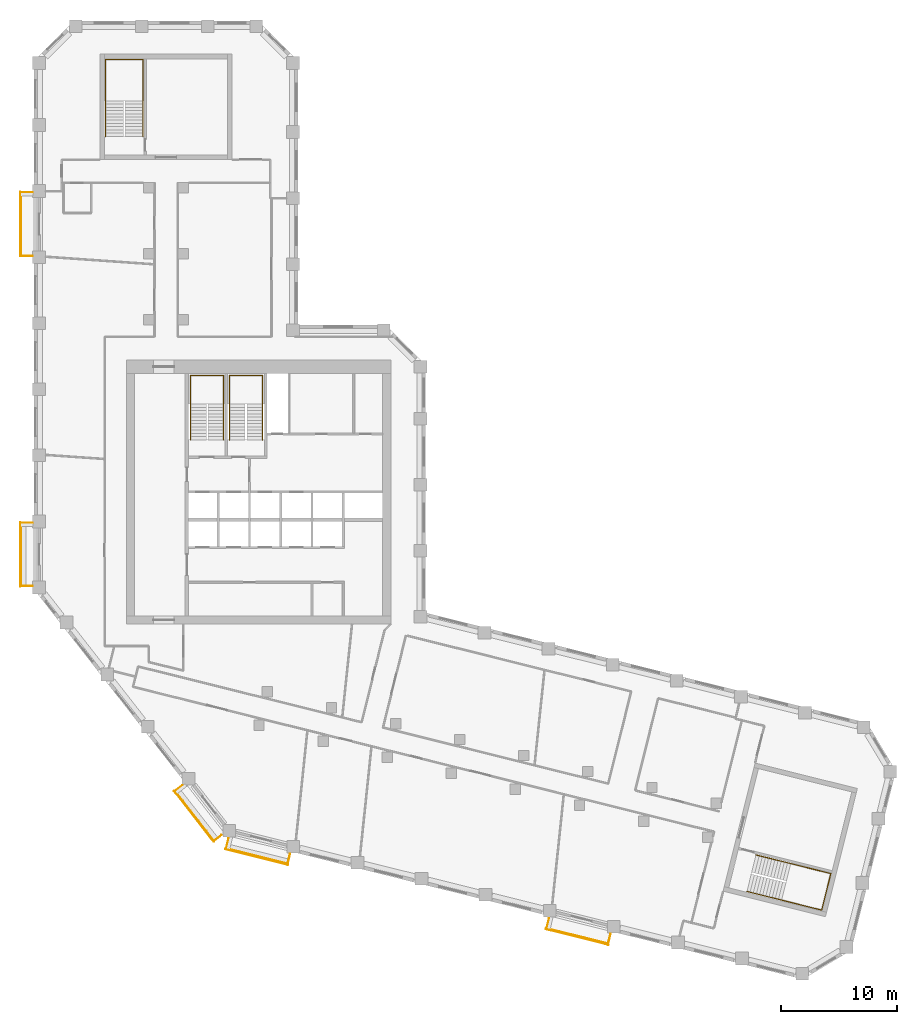
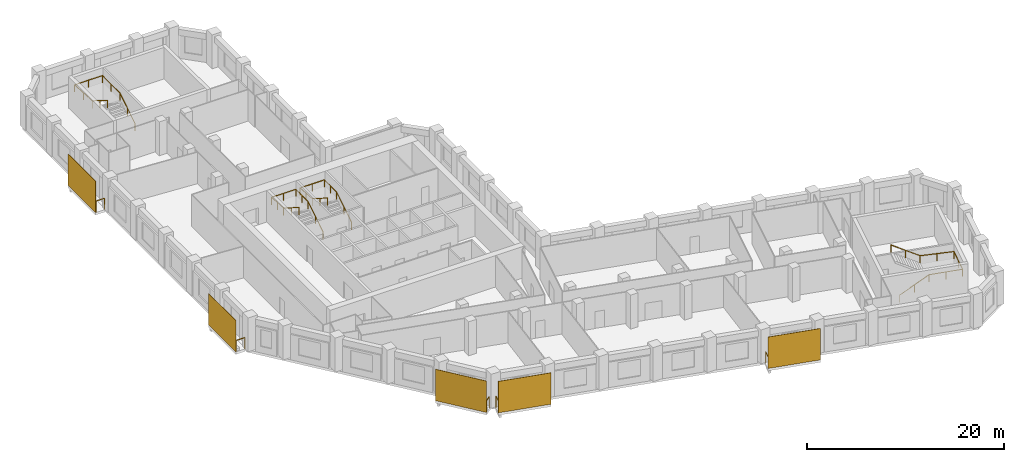
# One storey, part 10 of 10: 9 railings, 5 shading devices.
"""IFC4 building model written with IfcOpenShell, lengths in metres."""

from ifc_helpers import new_model, si_unit, direction, frame, origin, origin_2d, place, context, subcontext, project, spatial, rectangle, circle, extrude, material, layer, layer_set, type_object, element, save


model = new_model("IFC4")

# Units and contexts
model_context = context("Model", 3, precision=1e-05, world=origin(), true_north=direction((0.0, 1.0)))
body_context = subcontext(model_context, "Body", "Model", "MODEL_VIEW")
ifc_project = project(units=[si_unit("LENGTHUNIT", "METRE"), si_unit("AREAUNIT", "SQUARE_METRE"), si_unit("VOLUMEUNIT", "CUBIC_METRE"), si_unit("PLANEANGLEUNIT", "RADIAN"), si_unit("MASSUNIT", "GRAM", prefix="KILO")], contexts=[model_context])

# Site, building, storey
site_placement = place(None, origin())
site = spatial("IfcSite", under=ifc_project, at=site_placement, CompositionType="ELEMENT")
building_placement = place(site_placement, origin())
building = spatial("IfcBuilding", under=site, at=building_placement, Name="Meshkara Civic Tower", CompositionType="ELEMENT")
storey_placement = place(building_placement, frame((0.0, 0.0, 229.800048828125)))
storey = spatial("IfcBuildingStorey", under=building, at=storey_placement, Name="L52", CompositionType="ELEMENT", Elevation=229.800048828125)

# Railings
ifc_material_1 = material(Name="Steel S355", Category="steel")
railing_type_1 = type_object("IfcRailingType", Name="BALUSTRADE GUARD 1400", PredefinedType="BALUSTRADE", material=ifc_material_1)
for number, where, name in (
    (1, (-0.10009765625, 51.3349609375, 0.0), "Balcony guard"),
    (2, (-0.10009765625, 22.8349609375, 0.0), "Balcony guard"),
):
    element("IfcRailing", number, at=place(storey_placement, frame(where)), inside=storey, type_object=railing_type_1, Name=name, PredefinedType="BALUSTRADE", context=body_context, shape_type="SweptSolid", body=[
        extrude(circle(Radius=0.02392578125, at=origin_2d()), frame((0.0, 0.0, 1.3759765625), z_axis=(-1.0, 0.0, 0.0), x_axis=(0.0, -1.0, 0.0)), (0.0, 0.0, 1.0), 1.010009765625),
        extrude(circle(Radius=0.02392578125, at=origin_2d()), frame((-1.010009765625, 0.0, 1.3759765625), z_axis=(0.0, -1.0, 0.0), x_axis=(1.0, 0.0, 0.0)), (0.0, 0.0, 1.0), 5.4599609375),
        extrude(circle(Radius=0.02392578125, at=origin_2d()), frame((-1.010009765625, -5.4599609375, 1.3759765625), z_axis=(1.0, 0.0, 0.0), x_axis=(0.0, 1.0, 0.0)), (0.0, 0.0, 1.0), 1.010009765625),
        extrude(circle(Radius=0.02099609375, at=origin_2d()), origin(), (0.0, 0.0, 1.0), 1.351806640625),
        extrude(circle(Radius=0.02099609375, at=origin_2d()), frame((-1.010009765625, 0.0, 0.0)), (0.0, 0.0, 1.0), 1.351806640625),
        extrude(circle(Radius=0.02099609375, at=origin_2d()), frame((-1.010009765625, -1.092041015625, 0.0)), (0.0, 0.0, 1.0), 1.351806640625),
        extrude(circle(Radius=0.02099609375, at=origin_2d()), frame((-1.010009765625, -2.18408203125, 0.0)), (0.0, 0.0, 1.0), 1.351806640625),
        extrude(circle(Radius=0.02099609375, at=origin_2d()), frame((-1.010009765625, -3.27587890625, 0.0)), (0.0, 0.0, 1.0), 1.351806640625),
        extrude(circle(Radius=0.02099609375, at=origin_2d()), frame((-1.010009765625, -4.367919921875, 0.0)), (0.0, 0.0, 1.0), 1.351806640625),
        extrude(circle(Radius=0.02099609375, at=origin_2d()), frame((-1.010009765625, -5.4599609375, 0.0)), (0.0, 0.0, 1.0), 1.351806640625),
        extrude(circle(Radius=0.02099609375, at=origin_2d()), frame((0.0, -5.4599609375, 0.0)), (0.0, 0.0, 1.0), 1.351806640625),
    ])
railing_1_placement = place(storey_placement, frame((12.806884765625, 0.18408203125, 0.0)))
element("IfcRailing", 3, at=railing_1_placement, inside=storey, type_object=railing_type_1, Name="Balcony guard", PredefinedType="BALUSTRADE", context=body_context, shape_type="SweptSolid", body=[
    extrude(circle(Radius=0.02392578125, at=origin_2d()), frame((0.0, 0.0, 1.3759765625), z_axis=(-0.787982092171, -0.615698158531, 0.0), x_axis=(0.615698158531, -0.787982092171, 0.0)), (0.0, 0.0, 1.0), 0.787841796875),
    extrude(circle(Radius=0.02392578125, at=origin_2d()), frame((-0.620849609375, -0.485107421875, 1.3759765625), z_axis=(0.615684818606, -0.787992515281, 0.0), x_axis=(0.787992515281, 0.615684818606, 0.0)), (0.0, 0.0, 1.0), 5.460693359375),
    extrude(circle(Radius=0.02392578125, at=origin_2d()), frame((2.7412109375, -4.7880859375, 1.3759765625), z_axis=(0.787982092171, 0.615698158531, 0.0), x_axis=(-0.615698158531, 0.787982092171, 0.0)), (0.0, 0.0, 1.0), 0.787841796875),
    extrude(circle(Radius=0.02099609375, at=origin_2d()), origin(), (0.0, 0.0, 1.0), 1.351806640625),
    extrude(circle(Radius=0.02099609375, at=origin_2d()), frame((-0.620849609375, -0.485107421875, 0.0)), (0.0, 0.0, 1.0), 1.351806640625),
    extrude(circle(Radius=0.02099609375, at=origin_2d()), frame((0.051513671875, -1.345703125, 0.0)), (0.0, 0.0, 1.0), 1.351806640625),
    extrude(circle(Radius=0.02099609375, at=origin_2d()), frame((0.723876953125, -2.206298828125, 0.0)), (0.0, 0.0, 1.0), 1.351806640625),
    extrude(circle(Radius=0.02099609375, at=origin_2d()), frame((1.396484375, -3.06689453125, 0.0)), (0.0, 0.0, 1.0), 1.351806640625),
    extrude(circle(Radius=0.02099609375, at=origin_2d()), frame((2.06884765625, -3.927490234375, 0.0)), (0.0, 0.0, 1.0), 1.351806640625),
    extrude(circle(Radius=0.02099609375, at=origin_2d()), frame((2.7412109375, -4.7880859375, 0.0)), (0.0, 0.0, 1.0), 1.351806640625),
    extrude(circle(Radius=0.02099609375, at=origin_2d()), frame((3.362060546875, -4.302978515625, 0.0)), (0.0, 0.0, 1.0), 1.351806640625),
])
railing_2_placement = place(storey_placement, frame((16.805908203125, -4.4140625, 0.0)))
element("IfcRailing", 4, at=railing_2_placement, inside=storey, type_object=railing_type_1, Name="Balcony guard", PredefinedType="BALUSTRADE", context=body_context, shape_type="SweptSolid", body=[
    extrude(circle(Radius=0.02392578125, at=origin_2d()), frame((0.0, 0.0, 1.3759765625), z_axis=(-0.241571021463, -0.970383141645, 0.0), x_axis=(0.970383141645, -0.241571021463, 0.0)), (0.0, 0.0, 1.0), 0.893310546875),
    extrude(circle(Radius=0.02392578125, at=origin_2d()), frame((-0.2158203125, -0.866943359375, 1.3759765625), z_axis=(0.9703315887, -0.241778013829, 0.0), x_axis=(0.241778013829, 0.9703315887, 0.0)), (0.0, 0.0, 1.0), 5.459716796875),
    extrude(circle(Radius=0.02392578125, at=origin_2d()), frame((5.08203125, -2.18701171875, 1.3759765625), z_axis=(0.242085058395, 0.97025503065, 0.0), x_axis=(-0.97025503065, 0.242085058395, 0.0)), (0.0, 0.0, 1.0), 0.892578125),
    extrude(circle(Radius=0.02099609375, at=origin_2d()), origin(), (0.0, 0.0, 1.0), 1.351806640625),
    extrude(circle(Radius=0.02099609375, at=origin_2d()), frame((-0.2158203125, -0.866943359375, 0.0)), (0.0, 0.0, 1.0), 1.351806640625),
    extrude(circle(Radius=0.02099609375, at=origin_2d()), frame((0.84375, -1.130859375, 0.0)), (0.0, 0.0, 1.0), 1.351806640625),
    extrude(circle(Radius=0.02099609375, at=origin_2d()), frame((1.9033203125, -1.39501953125, 0.0)), (0.0, 0.0, 1.0), 1.351806640625),
    extrude(circle(Radius=0.02099609375, at=origin_2d()), frame((2.962890625, -1.658935546875, 0.0)), (0.0, 0.0, 1.0), 1.351806640625),
    extrude(circle(Radius=0.02099609375, at=origin_2d()), frame((4.0224609375, -1.923095703125, 0.0)), (0.0, 0.0, 1.0), 1.351806640625),
    extrude(circle(Radius=0.02099609375, at=origin_2d()), frame((5.08203125, -2.18701171875, 0.0)), (0.0, 0.0, 1.0), 1.351806640625),
    extrude(circle(Radius=0.02099609375, at=origin_2d()), frame((5.298095703125, -1.321044921875, 0.0)), (0.0, 0.0, 1.0), 1.351806640625),
])
railing_3_placement = place(storey_placement, frame((44.4599609375, -11.30810546875, 0.0)))
element("IfcRailing", 5, at=railing_3_placement, inside=storey, type_object=railing_type_1, Name="Balcony guard", PredefinedType="BALUSTRADE", context=body_context, shape_type="SweptSolid", body=[
    extrude(circle(Radius=0.02392578125, at=origin_2d()), frame((0.0, 0.0, 1.3759765625), z_axis=(-0.241828319243, -0.97031905269, 0.0), x_axis=(0.97031905269, -0.241828319243, 0.0)), (0.0, 0.0, 1.0), 0.8935546875),
    extrude(circle(Radius=0.02392578125, at=origin_2d()), frame((-0.216064453125, -0.866943359375, 1.3759765625), z_axis=(0.970281759871, -0.241977904902, 0.0), x_axis=(0.241977904902, 0.970281759871, 0.0)), (0.0, 0.0, 1.0), 5.45947265625),
    extrude(circle(Radius=0.02392578125, at=origin_2d()), frame((5.0810546875, -2.18798828125, 1.3759765625), z_axis=(0.241764216879, 0.970335026389, 0.0), x_axis=(-0.970335026389, 0.241764216879, 0.0)), (0.0, 0.0, 1.0), 0.893798828125),
    extrude(circle(Radius=0.02099609375, at=origin_2d()), origin(), (0.0, 0.0, 1.0), 1.351806640625),
    extrude(circle(Radius=0.02099609375, at=origin_2d()), frame((-0.216064453125, -0.866943359375, 0.0)), (0.0, 0.0, 1.0), 1.351806640625),
    extrude(circle(Radius=0.02099609375, at=origin_2d()), frame((0.84326171875, -1.131103515625, 0.0)), (0.0, 0.0, 1.0), 1.351806640625),
    extrude(circle(Radius=0.02099609375, at=origin_2d()), frame((1.90283203125, -1.395263671875, 0.0)), (0.0, 0.0, 1.0), 1.351806640625),
    extrude(circle(Radius=0.02099609375, at=origin_2d()), frame((2.962158203125, -1.65966796875, 0.0)), (0.0, 0.0, 1.0), 1.351806640625),
    extrude(circle(Radius=0.02099609375, at=origin_2d()), frame((4.021728515625, -1.923828125, 0.0)), (0.0, 0.0, 1.0), 1.351806640625),
    extrude(circle(Radius=0.02099609375, at=origin_2d()), frame((5.0810546875, -2.18798828125, 0.0)), (0.0, 0.0, 1.0), 1.351806640625),
    extrude(circle(Radius=0.02099609375, at=origin_2d()), frame((5.297119140625, -1.32080078125, 0.0)), (0.0, 0.0, 1.0), 1.351806640625),
])

# Shading devices
ifc_material_2 = material(Name="Perforated bronze anodised aluminium sheet", Category="aluminium")
ifc_layer = layer(ifc_material_2, 0.0400390625)
ifc_layer_set = layer_set([ifc_layer], Name="PERFORATED BRONZE SCREEN")
shading_device_type = type_object("IfcShadingDeviceType", Name="PERFORATED BRONZE SCREEN", PredefinedType="USERDEFINED", material=ifc_layer_set)
for number, where, z_axis, x_axis, name in (
    (6, (-1.179931640625, 48.60498046875, 0.0), (0.0, 0.0, 1.0), (0.0, -1.0, 0.0), "Balcony screen"),
    (7, (-1.179931640625, 20.10498046875, 0.0), (0.0, 0.0, 1.0), (0.0, -1.0, 0.0), "Balcony screen"),
    (8, (13.81201171875, -2.4951171875, 0.0), (0.0, 0.0, 1.0), (0.615661475326, -0.788010753607, 0.0), "Balcony screen"),
    (9, (19.221923828125, -6.009033203125, 0.0), (0.0, 0.0, 1.0), (0.970299948462, -0.241904960708, 0.0), "Balcony screen"),
):
    element("IfcShadingDevice", number, at=place(storey_placement, frame(where, z_axis=z_axis, x_axis=x_axis)), inside=storey, type_object=shading_device_type, Name=name, ObjectType="SCREEN", PredefinedType="USERDEFINED", context=body_context, shape_type="SweptSolid", body=[
        extrude(rectangle(XDim=5.580078125, YDim=0.0400390625, at=origin_2d()), origin(), (0.0, 0.0, 1.0), 3.89990234375),
    ])
shading_device_placement = place(storey_placement, frame((46.8759765625, -12.903076171875, 0.0), z_axis=(0.0, 0.0, 1.0), x_axis=(0.970299948462, -0.241904960708, 0.0)))
element("IfcShadingDevice", 10, at=shading_device_placement, inside=storey, type_object=shading_device_type, Name="Balcony screen", ObjectType="SCREEN", PredefinedType="USERDEFINED", context=body_context, shape_type="SweptSolid", body=[
    extrude(rectangle(XDim=5.5791015625, YDim=0.0400390625, at=origin_2d()), origin(), (0.0, 0.0, 1.0), 3.89990234375),
])

# Railings
ifc_material_3 = material(Name="Steel handrail", Category="steel")
railing_type_2 = type_object("IfcRailingType", Name="Stair handrail 900", PredefinedType="HANDRAIL", material=ifc_material_3)
railing_4_placement = place(storey_placement, frame((16.375, 30.0, 0.175048828125)))
element("IfcRailing", 11, at=railing_4_placement, inside=storey, type_object=railing_type_2, Name="L52 ST1 stair handrail 1", PredefinedType="HANDRAIL", context=body_context, shape_type="SweptSolid", body=[
    extrude(circle(Radius=0.02392578125, at=origin_2d()), frame((0.0, 0.0, 0.8759765625), z_axis=(0.0, 0.848028513186, 0.529950602248), x_axis=(-1.0, 0.0, 0.0)), (0.0, 0.0, 1.0), 3.632080078125),
    extrude(circle(Radius=0.02392578125, at=origin_2d()), frame((0.0, 3.080078125, 2.80078125), z_axis=(0.0, 1.0, 0.0), x_axis=(-1.0, 0.0, 0.0)), (0.0, 0.0, 1.0), 2.469970703125),
    extrude(circle(Radius=0.02392578125, at=origin_2d()), frame((0.0, 5.550048828125, 2.80078125), z_axis=(-1.0, 0.0, 0.0), x_axis=(0.0, -1.0, 0.0)), (0.0, 0.0, 1.0), 2.85009765625),
    extrude(circle(Radius=0.02392578125, at=origin_2d()), frame((-2.85009765625, 5.550048828125, 2.80078125), z_axis=(0.0, -0.997498084828, 0.070693498747), x_axis=(1.0, 0.0, 0.0)), (0.0, 0.0, 1.0), 2.47607421875),
    extrude(circle(Radius=0.02392578125, at=origin_2d()), frame((-2.85009765625, 3.080078125, 2.9755859375), z_axis=(0.0, -0.847998304005, 0.529998940003), x_axis=(1.0, 0.0, 0.0)), (0.0, 0.0, 1.0), 3.632080078125),
    extrude(circle(Radius=0.02099609375, at=origin_2d()), origin(), (0.0, 0.0, 1.0), 0.851806640625),
    extrude(circle(Radius=0.02099609375, at=origin_2d()), frame((0.0, 1.5400390625, 0.96240234375)), (0.0, 0.0, 1.0), 0.851806640625),
    extrude(circle(Radius=0.02099609375, at=origin_2d()), frame((0.0, 3.080078125, 1.9248046875)), (0.0, 0.0, 1.0), 0.851806640625),
    extrude(circle(Radius=0.02099609375, at=origin_2d()), frame((0.0, 4.31494140625, 1.9248046875)), (0.0, 0.0, 1.0), 0.851806640625),
    extrude(circle(Radius=0.02099609375, at=origin_2d()), frame((0.0, 5.550048828125, 1.9248046875)), (0.0, 0.0, 1.0), 0.851806640625),
    extrude(circle(Radius=0.02099609375, at=origin_2d()), frame((-1.425048828125, 5.550048828125, 1.9248046875)), (0.0, 0.0, 1.0), 0.851806640625),
    extrude(circle(Radius=0.02099609375, at=origin_2d()), frame((-2.85009765625, 5.550048828125, 1.9248046875)), (0.0, 0.0, 1.0), 0.851806640625),
    extrude(circle(Radius=0.02099609375, at=origin_2d()), frame((-2.85009765625, 4.31494140625, 2.01220703125)), (0.0, 0.0, 1.0), 0.851806640625),
    extrude(circle(Radius=0.02099609375, at=origin_2d()), frame((-2.85009765625, 3.080078125, 2.099853515625)), (0.0, 0.0, 1.0), 0.851806640625),
    extrude(circle(Radius=0.02099609375, at=origin_2d()), frame((-2.85009765625, 1.5400390625, 3.0625)), (0.0, 0.0, 1.0), 0.851806640625),
    extrude(circle(Radius=0.02099609375, at=origin_2d()), frame((-2.85009765625, 0.0, 4.02490234375)), (0.0, 0.0, 1.0), 0.851806640625),
])
railing_5_placement = place(storey_placement, frame((19.72509765625, 30.0, 0.175048828125)))
element("IfcRailing", 12, at=railing_5_placement, inside=storey, type_object=railing_type_2, Name="L52 ST2 stair handrail 1", PredefinedType="HANDRAIL", context=body_context, shape_type="SweptSolid", body=[
    extrude(circle(Radius=0.02392578125, at=origin_2d()), frame((0.0, 0.0, 0.8759765625), z_axis=(0.0, 0.848028513186, 0.529950602248), x_axis=(-1.0, 0.0, 0.0)), (0.0, 0.0, 1.0), 3.632080078125),
    extrude(circle(Radius=0.02392578125, at=origin_2d()), frame((0.0, 3.080078125, 2.80078125), z_axis=(0.0, 1.0, 0.0), x_axis=(-1.0, 0.0, 0.0)), (0.0, 0.0, 1.0), 2.469970703125),
    extrude(circle(Radius=0.02392578125, at=origin_2d()), frame((0.0, 5.550048828125, 2.80078125), z_axis=(-1.0, 0.0, 0.0), x_axis=(0.0, -1.0, 0.0)), (0.0, 0.0, 1.0), 2.85009765625),
    extrude(circle(Radius=0.02392578125, at=origin_2d()), frame((-2.85009765625, 5.550048828125, 2.80078125), z_axis=(0.0, -0.997498084828, 0.070693498747), x_axis=(1.0, 0.0, 0.0)), (0.0, 0.0, 1.0), 2.47607421875),
    extrude(circle(Radius=0.02392578125, at=origin_2d()), frame((-2.85009765625, 3.080078125, 2.9755859375), z_axis=(0.0, -0.847998304005, 0.529998940003), x_axis=(1.0, 0.0, 0.0)), (0.0, 0.0, 1.0), 3.632080078125),
    extrude(circle(Radius=0.02099609375, at=origin_2d()), origin(), (0.0, 0.0, 1.0), 0.851806640625),
    extrude(circle(Radius=0.02099609375, at=origin_2d()), frame((0.0, 1.5400390625, 0.96240234375)), (0.0, 0.0, 1.0), 0.851806640625),
    extrude(circle(Radius=0.02099609375, at=origin_2d()), frame((0.0, 3.080078125, 1.9248046875)), (0.0, 0.0, 1.0), 0.851806640625),
    extrude(circle(Radius=0.02099609375, at=origin_2d()), frame((0.0, 4.31494140625, 1.9248046875)), (0.0, 0.0, 1.0), 0.851806640625),
    extrude(circle(Radius=0.02099609375, at=origin_2d()), frame((0.0, 5.550048828125, 1.9248046875)), (0.0, 0.0, 1.0), 0.851806640625),
    extrude(circle(Radius=0.02099609375, at=origin_2d()), frame((-1.425048828125, 5.550048828125, 1.9248046875)), (0.0, 0.0, 1.0), 0.851806640625),
    extrude(circle(Radius=0.02099609375, at=origin_2d()), frame((-2.85009765625, 5.550048828125, 1.9248046875)), (0.0, 0.0, 1.0), 0.851806640625),
    extrude(circle(Radius=0.02099609375, at=origin_2d()), frame((-2.85009765625, 4.31494140625, 2.01220703125)), (0.0, 0.0, 1.0), 0.851806640625),
    extrude(circle(Radius=0.02099609375, at=origin_2d()), frame((-2.85009765625, 3.080078125, 2.099853515625)), (0.0, 0.0, 1.0), 0.851806640625),
    extrude(circle(Radius=0.02099609375, at=origin_2d()), frame((-2.85009765625, 1.5400390625, 3.0625)), (0.0, 0.0, 1.0), 0.851806640625),
    extrude(circle(Radius=0.02099609375, at=origin_2d()), frame((-2.85009765625, 0.0, 4.02490234375)), (0.0, 0.0, 1.0), 0.851806640625),
])
railing_6_placement = place(storey_placement, frame((9.425048828125, 56.169921875, 0.175048828125)))
element("IfcRailing", 13, at=railing_6_placement, inside=storey, type_object=railing_type_2, Name="L52 ESA4 stair handrail 1", PredefinedType="HANDRAIL", context=body_context, shape_type="SweptSolid", body=[
    extrude(circle(Radius=0.02392578125, at=origin_2d()), frame((0.0, 0.0, 0.8759765625), z_axis=(0.0, 0.848028513186, 0.529950602248), x_axis=(-1.0, 0.0, 0.0)), (0.0, 0.0, 1.0), 3.632080078125),
    extrude(circle(Radius=0.02392578125, at=origin_2d()), frame((0.0, 3.080078125, 2.80078125), z_axis=(0.0, 1.0, 0.0), x_axis=(-1.0, 0.0, 0.0)), (0.0, 0.0, 1.0), 3.570068359375),
    extrude(circle(Radius=0.02392578125, at=origin_2d()), frame((0.0, 6.650146484375, 2.80078125), z_axis=(-1.0, 0.0, 0.0), x_axis=(0.0, -1.0, 0.0)), (0.0, 0.0, 1.0), 3.25),
    extrude(circle(Radius=0.02392578125, at=origin_2d()), frame((-3.25, 6.650146484375, 2.80078125), z_axis=(0.0, -0.998800077689, 0.048973511297), x_axis=(1.0, 0.0, 0.0)), (0.0, 0.0, 1.0), 3.574462890625),
    extrude(circle(Radius=0.02392578125, at=origin_2d()), frame((-3.25, 3.080078125, 2.9755859375), z_axis=(0.0, -0.847998304005, 0.529998940003), x_axis=(1.0, 0.0, 0.0)), (0.0, 0.0, 1.0), 3.632080078125),
    extrude(circle(Radius=0.02099609375, at=origin_2d()), origin(), (0.0, 0.0, 1.0), 0.851806640625),
    extrude(circle(Radius=0.02099609375, at=origin_2d()), frame((0.0, 1.5400390625, 0.96240234375)), (0.0, 0.0, 1.0), 0.851806640625),
    extrude(circle(Radius=0.02099609375, at=origin_2d()), frame((0.0, 3.080078125, 1.9248046875)), (0.0, 0.0, 1.0), 0.851806640625),
    extrude(circle(Radius=0.02099609375, at=origin_2d()), frame((0.0, 4.865234375, 1.9248046875)), (0.0, 0.0, 1.0), 0.851806640625),
    extrude(circle(Radius=0.02099609375, at=origin_2d()), frame((0.0, 6.650146484375, 1.9248046875)), (0.0, 0.0, 1.0), 0.851806640625),
    extrude(circle(Radius=0.02099609375, at=origin_2d()), frame((-1.625, 6.650146484375, 1.9248046875)), (0.0, 0.0, 1.0), 0.851806640625),
    extrude(circle(Radius=0.02099609375, at=origin_2d()), frame((-3.25, 6.650146484375, 1.9248046875)), (0.0, 0.0, 1.0), 0.851806640625),
    extrude(circle(Radius=0.02099609375, at=origin_2d()), frame((-3.25, 4.865234375, 2.01220703125)), (0.0, 0.0, 1.0), 0.851806640625),
    extrude(circle(Radius=0.02099609375, at=origin_2d()), frame((-3.25, 3.080078125, 2.099853515625)), (0.0, 0.0, 1.0), 0.851806640625),
    extrude(circle(Radius=0.02099609375, at=origin_2d()), frame((-3.25, 1.5400390625, 3.0625)), (0.0, 0.0, 1.0), 0.851806640625),
    extrude(circle(Radius=0.02099609375, at=origin_2d()), frame((-3.25, 0.0, 4.02490234375)), (0.0, 0.0, 1.0), 0.851806640625),
])
railing_7_placement = place(storey_placement, frame((61.526123046875, -8.97607421875, 0.175048828125)))
element("IfcRailing", 14, at=railing_7_placement, inside=storey, type_object=railing_type_2, Name="L52 ESB4 stair handrail 1", PredefinedType="HANDRAIL", context=body_context, shape_type="SweptSolid", body=[
    extrude(circle(Radius=0.02392578125, at=origin_2d()), frame((0.0, 0.0, 0.8759765625), z_axis=(0.822800919371, -0.205229673761, 0.529980592183), x_axis=(0.242013336109, 0.97027292302, 0.0)), (0.0, 0.0, 1.0), 3.6318359375),
    extrude(circle(Radius=0.02392578125, at=origin_2d()), frame((2.98828125, -0.745361328125, 2.80078125), z_axis=(0.97025503065, -0.242085058395, 0.0), x_axis=(0.242085058395, 0.97025503065, 0.0)), (0.0, 0.0, 1.0), 3.570068359375),
    extrude(circle(Radius=0.02392578125, at=origin_2d()), frame((6.4521484375, -1.609619140625, 2.80078125), z_axis=(0.242040676986, 0.970266103027, 0.0), x_axis=(-0.970266103027, 0.242040676986, 0.0)), (0.0, 0.0, 1.0), 3.25),
    extrude(circle(Radius=0.02392578125, at=origin_2d()), frame((7.23876953125, 1.543701171875, 2.80078125), z_axis=(-0.969086635977, 0.241810579499, 0.04897688856), x_axis=(-0.24210112213, -0.970251022501, 0.0)), (0.0, 0.0, 1.0), 3.57421875),
    extrude(circle(Radius=0.02392578125, at=origin_2d()), frame((3.775146484375, 2.407958984375, 2.9755859375), z_axis=(-0.822793318929, 0.205211012392, 0.529999617659), x_axis=(-0.24199472324, -0.970277565403, 0.0)), (0.0, 0.0, 1.0), 3.632080078125),
    extrude(circle(Radius=0.02099609375, at=origin_2d()), origin(), (0.0, 0.0, 1.0), 0.851806640625),
    extrude(circle(Radius=0.02099609375, at=origin_2d()), frame((1.494140625, -0.37255859375, 0.96240234375)), (0.0, 0.0, 1.0), 0.851806640625),
    extrude(circle(Radius=0.02099609375, at=origin_2d()), frame((2.98828125, -0.745361328125, 1.9248046875)), (0.0, 0.0, 1.0), 0.851806640625),
    extrude(circle(Radius=0.02099609375, at=origin_2d()), frame((4.72021484375, -1.177490234375, 1.9248046875)), (0.0, 0.0, 1.0), 0.851806640625),
    extrude(circle(Radius=0.02099609375, at=origin_2d()), frame((6.4521484375, -1.609619140625, 1.9248046875)), (0.0, 0.0, 1.0), 0.851806640625),
    extrude(circle(Radius=0.02099609375, at=origin_2d()), frame((6.845458984375, -0.032958984375, 1.9248046875)), (0.0, 0.0, 1.0), 0.851806640625),
    extrude(circle(Radius=0.02099609375, at=origin_2d()), frame((7.23876953125, 1.543701171875, 1.9248046875)), (0.0, 0.0, 1.0), 0.851806640625),
    extrude(circle(Radius=0.02099609375, at=origin_2d()), frame((5.5068359375, 1.975830078125, 2.01220703125)), (0.0, 0.0, 1.0), 0.851806640625),
    extrude(circle(Radius=0.02099609375, at=origin_2d()), frame((3.775146484375, 2.407958984375, 2.099853515625)), (0.0, 0.0, 1.0), 0.851806640625),
    extrude(circle(Radius=0.02099609375, at=origin_2d()), frame((2.28076171875, 2.78076171875, 3.0625)), (0.0, 0.0, 1.0), 0.851806640625),
    extrude(circle(Radius=0.02099609375, at=origin_2d()), frame((0.78662109375, 3.1533203125, 4.02490234375)), (0.0, 0.0, 1.0), 0.851806640625),
])

save(model, "model.ifc")
